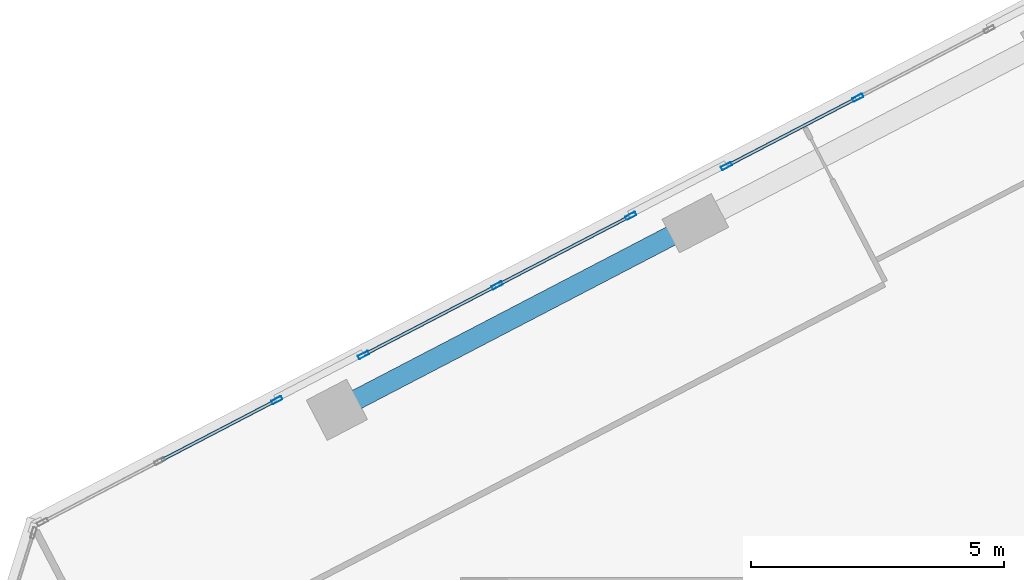
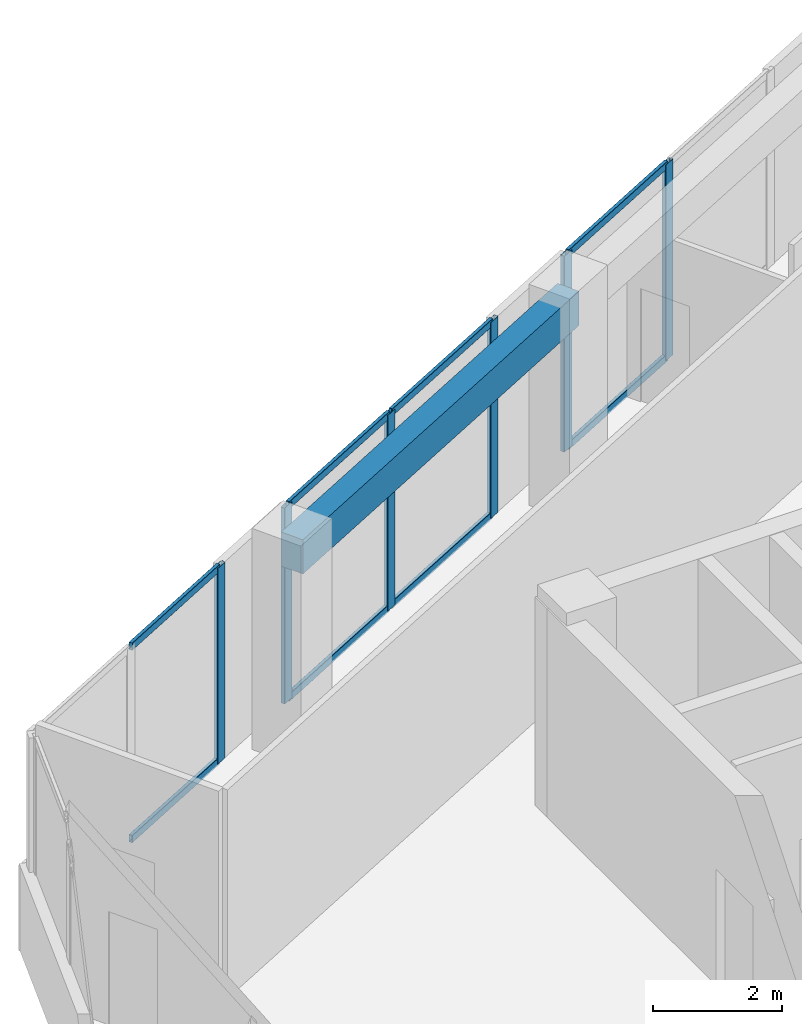
# One storey, part 8 of 17: 14 members, 1 beam, 3 elements without a shape of their own.
"""IFC4 building model written with IfcOpenShell, lengths in metres."""

from ifc_helpers import new_model, si_unit, direction, frame, origin, origin_2d, place, context, subcontext, project, spatial, rectangle, hollow_rectangle, extrude, source, transform, mapped, material, material_profile, profile_set, type_object, element, aggregate, save


model = new_model("IFC4")

# Units and contexts
model_context = context("Model", 3, precision=1e-05, world=origin(), true_north=direction((0.0, 1.0)))
body_context = subcontext(model_context, "Body", "Model", "MODEL_VIEW")
ifc_project = project(units=[si_unit("LENGTHUNIT", "METRE"), si_unit("AREAUNIT", "SQUARE_METRE"), si_unit("VOLUMEUNIT", "CUBIC_METRE"), si_unit("PLANEANGLEUNIT", "RADIAN"), si_unit("MASSUNIT", "GRAM", prefix="KILO")], contexts=[model_context])

# Site, building, storey
site_placement = place(None, origin())
site = spatial("IfcSite", under=ifc_project, at=site_placement, CompositionType="ELEMENT")
building_placement = place(site_placement, origin())
building = spatial("IfcBuilding", under=site, at=building_placement, Name="Torre Montelarca", CompositionType="ELEMENT")
storey_placement = place(building_placement, frame((0.0, 0.0, 332.39990234375)))
storey = spatial("IfcBuildingStorey", under=building, at=storey_placement, Name="L75", CompositionType="ELEMENT", Elevation=332.39990234375)

# Beam
ifc_material_1 = material(Name="Concrete C40/50", Category="concrete")
ifc_material_profile_1 = material_profile(ifc_material_1, rectangle(XDim=0.39990234375, YDim=0.64990234375, at=origin_2d()), Name="RCB400X650", Category="concrete")
ifc_profile_set_1 = profile_set([ifc_material_profile_1], Name="Concrete C40/50")
beam_type = type_object("IfcBeamType", Name="BM-SP-RC650-EXT", PredefinedType="SPANDREL", material=ifc_profile_set_1)
shared_shape_1 = source(origin(), body_context, "Body", "SweptSolid", [
    extrude(rectangle(XDim=0.39990234375, YDim=0.64990234375, at=origin_2d()), origin(), (0.0, 0.0, 1.0), 8.0),
])
beam_placement = place(storey_placement, frame((6.623291015625, 43.252197265625, 3.635009765625), z_axis=(0.887020855989, 0.461729359084, 0.0), x_axis=(-0.461729359084, 0.887020855989, 0.0)))
element("IfcBeam", 1, at=beam_placement, inside=storey, type_object=beam_type, Name="L75 Grid Girder Y 24.0-32.0 at X=4.7", PredefinedType="SPANDREL", context=body_context, shape_type="MappedRepresentation", body=[
    mapped(shared_shape_1, transform((0.0, 0.0, 0.0), scale=1.0)),
])

# Curtain wall, members
ifc_material_2 = material(Name="Insulated low-E laminated glass", Category="glass")
curtain_wall_type = type_object("IfcCurtainWallType", Name="CW-SYS-Z4", PredefinedType="USERDEFINED", material=ifc_material_2)
curtain_wall_1_placement = place(storey_placement, origin())
curtain_wall_1 = element("IfcCurtainWall", 2, at=curtain_wall_1_placement, inside=storey, type_object=curtain_wall_type, Name="L75 Curtain Wall Run CW-T3-L75-E10-B1", ObjectType="UNITISED GLAZING", PredefinedType="USERDEFINED")
ifc_material_3 = material(Name="Anodised aluminium AA 6063-T6", Category="aluminium")
ifc_material_profile_2 = material_profile(ifc_material_3, hollow_rectangle(XDim=0.074951171875, YDim=0.219970703125, WallThickness=0.0048828125, InnerFilletRadius=0.0048828125, OuterFilletRadius=0.010009765625, at=origin_2d()), Name="ALU75X220X5", Category="aluminium")
ifc_profile_set_2 = profile_set([ifc_material_profile_2], Name="Anodised aluminium AA 6063-T6")
member_type_1 = type_object("IfcMemberType", Name="CWM-ALU220", PredefinedType="MULLION", material=ifc_profile_set_2)
shared_shape_2 = source(origin(), body_context, "Body", "SweptSolid", [
    extrude(hollow_rectangle(XDim=0.074951171875, YDim=0.219970703125, WallThickness=0.0048828125, InnerFilletRadius=0.0048828125, OuterFilletRadius=0.010009765625, at=origin_2d()), origin(), (0.0, 0.0, 1.0), 3.72021484375),
])
member_1_placement = place(storey_placement, frame((16.93505859375, 49.431884765625, 0.0), z_axis=(0.0, 0.0, 1.0), x_axis=(0.461753424587, -0.88700832853, 0.0)))
member_1 = element("IfcMember", 3, at=member_1_placement, type_object=member_type_1, Name="CW mullion 2", PredefinedType="MULLION", context=body_context, shape_type="MappedRepresentation", body=[
    mapped(shared_shape_2, transform((0.0, 0.0, 0.0), scale=1.0)),
])
member_2_placement = place(storey_placement, frame((14.333984375, 48.07763671875, 0.0), z_axis=(0.0, 0.0, 1.0), x_axis=(0.461753424587, -0.88700832853, 0.0)))
member_2 = element("IfcMember", 4, at=member_2_placement, type_object=member_type_1, Name="CW mullion 3", PredefinedType="MULLION", context=body_context, shape_type="MappedRepresentation", body=[
    mapped(shared_shape_2, transform((0.0, 0.0, 0.0), scale=1.0)),
])

curtain_wall_2_placement = place(storey_placement, origin())
curtain_wall_2 = element("IfcCurtainWall", 5, at=curtain_wall_2_placement, inside=storey, type_object=curtain_wall_type, Name="L75 Curtain Wall Run CW-T3-L75-E10-B2", ObjectType="UNITISED GLAZING", PredefinedType="USERDEFINED")
member_3_placement = place(storey_placement, frame((12.440185546875, 47.091796875, 0.0), z_axis=(0.0, 0.0, 1.0), x_axis=(0.461756693025, -0.887006627059, 0.0)))
member_3 = element("IfcMember", 6, at=member_3_placement, type_object=member_type_1, Name="CW mullion 1", PredefinedType="MULLION", context=body_context, shape_type="MappedRepresentation", body=[
    mapped(shared_shape_2, transform((0.0, 0.0, 0.0), scale=1.0)),
])
member_4_placement = place(storey_placement, frame((9.794677734375, 45.714599609375, 0.0), z_axis=(0.0, 0.0, 1.0), x_axis=(0.461756693025, -0.887006627059, 0.0)))
member_4 = element("IfcMember", 7, at=member_4_placement, type_object=member_type_1, Name="CW mullion 2", PredefinedType="MULLION", context=body_context, shape_type="MappedRepresentation", body=[
    mapped(shared_shape_2, transform((0.0, 0.0, 0.0), scale=1.0)),
])
member_5_placement = place(storey_placement, frame((7.149169921875, 44.33740234375, 0.0), z_axis=(0.0, 0.0, 1.0), x_axis=(0.461756693025, -0.887006627059, 0.0)))
member_5 = element("IfcMember", 8, at=member_5_placement, type_object=member_type_1, Name="CW mullion 3", PredefinedType="MULLION", context=body_context, shape_type="MappedRepresentation", body=[
    mapped(shared_shape_2, transform((0.0, 0.0, 0.0), scale=1.0)),
])

# Curtain wall, member
curtain_wall_3_placement = place(storey_placement, origin())
curtain_wall_3 = element("IfcCurtainWall", 9, at=curtain_wall_3_placement, inside=storey, type_object=curtain_wall_type, Name="L75 Curtain Wall Run CW-T3-L75-E10-B3", ObjectType="UNITISED GLAZING", PredefinedType="USERDEFINED")
member_6_placement = place(storey_placement, frame((5.4326171875, 43.444091796875, 0.0), z_axis=(0.0, 0.0, 1.0), x_axis=(0.46173914052, -0.887015764297, 0.0)))
member_6 = element("IfcMember", 10, at=member_6_placement, type_object=member_type_1, Name="CW mullion 1", PredefinedType="MULLION", context=body_context, shape_type="MappedRepresentation", body=[
    mapped(shared_shape_2, transform((0.0, 0.0, 0.0), scale=1.0)),
])

# Member
ifc_material_profile_3 = material_profile(ifc_material_3, hollow_rectangle(XDim=0.06494140625, YDim=0.139892578125, WallThickness=0.00390625, InnerFilletRadius=0.00390625, OuterFilletRadius=0.008056640625, at=origin_2d()), Name="ALU65X140X4", Category="aluminium")
ifc_profile_set_3 = profile_set([ifc_material_profile_3], Name="Anodised aluminium AA 6063-T6")
member_type_2 = type_object("IfcMemberType", Name="CWT-ALU140", PredefinedType="USERDEFINED", material=ifc_profile_set_3)
shared_shape_3 = source(origin(), body_context, "Body", "SweptSolid", [
    extrude(hollow_rectangle(XDim=0.06494140625, YDim=0.139892578125, WallThickness=0.00390625, InnerFilletRadius=0.00390625, OuterFilletRadius=0.008056640625, at=origin_2d()), origin(), (0.0, 0.0, 1.0), 2.857666015625),
])
member_7_placement = place(storey_placement, frame((16.90185546875, 49.41455078125, 0.03271484375), z_axis=(-0.886994285339, -0.461780399948, 0.0), x_axis=(0.461780399948, -0.886994285339, 0.0)))
member_7 = element("IfcMember", 11, at=member_7_placement, type_object=member_type_2, Name="CW transom 2.1", ObjectType="TRANSOM", PredefinedType="USERDEFINED", context=body_context, shape_type="MappedRepresentation", body=[
    mapped(shared_shape_3, transform((0.0, 0.0, 0.0), scale=1.0)),
])

member_8_placement = place(storey_placement, frame((16.90185546875, 49.41455078125, 3.6875), z_axis=(-0.886994285339, -0.461780399948, 0.0), x_axis=(0.461780399948, -0.886994285339, 0.0)))
member_8 = element("IfcMember", 12, at=member_8_placement, type_object=member_type_2, Name="CW transom 2.2", ObjectType="TRANSOM", PredefinedType="USERDEFINED", context=body_context, shape_type="MappedRepresentation", body=[
    mapped(shared_shape_3, transform((0.0, 0.0, 0.0), scale=1.0)),
])

aggregate(curtain_wall_1, [member_1, member_2, member_7, member_8])

shared_shape_4 = source(origin(), body_context, "Body", "SweptSolid", [
    extrude(hollow_rectangle(XDim=0.06494140625, YDim=0.139892578125, WallThickness=0.00390625, InnerFilletRadius=0.00390625, OuterFilletRadius=0.008056640625, at=origin_2d()), origin(), (0.0, 0.0, 1.0), 2.90771484375),
])
member_9_placement = place(storey_placement, frame((12.406982421875, 47.074462890625, 0.03271484375), z_axis=(-0.887020129532, -0.461730754666, 0.0), x_axis=(0.461730754666, -0.887020129532, 0.0)))
member_9 = element("IfcMember", 13, at=member_9_placement, type_object=member_type_2, Name="CW transom 1.1", ObjectType="TRANSOM", PredefinedType="USERDEFINED", context=body_context, shape_type="MappedRepresentation", body=[
    mapped(shared_shape_4, transform((0.0, 0.0, 0.0), scale=1.0)),
])

member_10_placement = place(storey_placement, frame((12.406982421875, 47.074462890625, 3.6875), z_axis=(-0.887020129532, -0.461730754666, 0.0), x_axis=(0.461730754666, -0.887020129532, 0.0)))
member_10 = element("IfcMember", 14, at=member_10_placement, type_object=member_type_2, Name="CW transom 1.2", ObjectType="TRANSOM", PredefinedType="USERDEFINED", context=body_context, shape_type="MappedRepresentation", body=[
    mapped(shared_shape_4, transform((0.0, 0.0, 0.0), scale=1.0)),
])

member_11_placement = place(storey_placement, frame((9.761474609375, 45.697265625, 0.03271484375), z_axis=(-0.887020129532, -0.461730754666, 0.0), x_axis=(0.461730754666, -0.887020129532, 0.0)))
member_11 = element("IfcMember", 15, at=member_11_placement, type_object=member_type_2, Name="CW transom 2.1", ObjectType="TRANSOM", PredefinedType="USERDEFINED", context=body_context, shape_type="MappedRepresentation", body=[
    mapped(shared_shape_4, transform((0.0, 0.0, 0.0), scale=1.0)),
])

member_12_placement = place(storey_placement, frame((9.761474609375, 45.697265625, 3.6875), z_axis=(-0.887020129532, -0.461730754666, 0.0), x_axis=(0.461730754666, -0.887020129532, 0.0)))
member_12 = element("IfcMember", 16, at=member_12_placement, type_object=member_type_2, Name="CW transom 2.2", ObjectType="TRANSOM", PredefinedType="USERDEFINED", context=body_context, shape_type="MappedRepresentation", body=[
    mapped(shared_shape_4, transform((0.0, 0.0, 0.0), scale=1.0)),
])

aggregate(curtain_wall_2, [member_3, member_4, member_5, member_9, member_10, member_11, member_12])

shared_shape_5 = source(origin(), body_context, "Body", "SweptSolid", [
    extrude(hollow_rectangle(XDim=0.06494140625, YDim=0.139892578125, WallThickness=0.00390625, InnerFilletRadius=0.00390625, OuterFilletRadius=0.008056640625, at=origin_2d()), origin(), (0.0, 0.0, 1.0), 2.539306640625),
])
member_13_placement = place(storey_placement, frame((5.3994140625, 43.4267578125, 0.03271484375), z_axis=(-0.887001052005, -0.461767402209, 0.0), x_axis=(0.461767402209, -0.887001052005, 0.0)))
member_13 = element("IfcMember", 17, at=member_13_placement, type_object=member_type_2, Name="CW transom 1.1", ObjectType="TRANSOM", PredefinedType="USERDEFINED", context=body_context, shape_type="MappedRepresentation", body=[
    mapped(shared_shape_5, transform((0.0, 0.0, 0.0), scale=1.0)),
])

member_14_placement = place(storey_placement, frame((5.3994140625, 43.4267578125, 3.6875), z_axis=(-0.887001052005, -0.461767402209, 0.0), x_axis=(0.461767402209, -0.887001052005, 0.0)))
member_14 = element("IfcMember", 18, at=member_14_placement, type_object=member_type_2, Name="CW transom 1.2", ObjectType="TRANSOM", PredefinedType="USERDEFINED", context=body_context, shape_type="MappedRepresentation", body=[
    mapped(shared_shape_5, transform((0.0, 0.0, 0.0), scale=1.0)),
])

aggregate(curtain_wall_3, [member_6, member_13, member_14])

save(model, "model.ifc")
